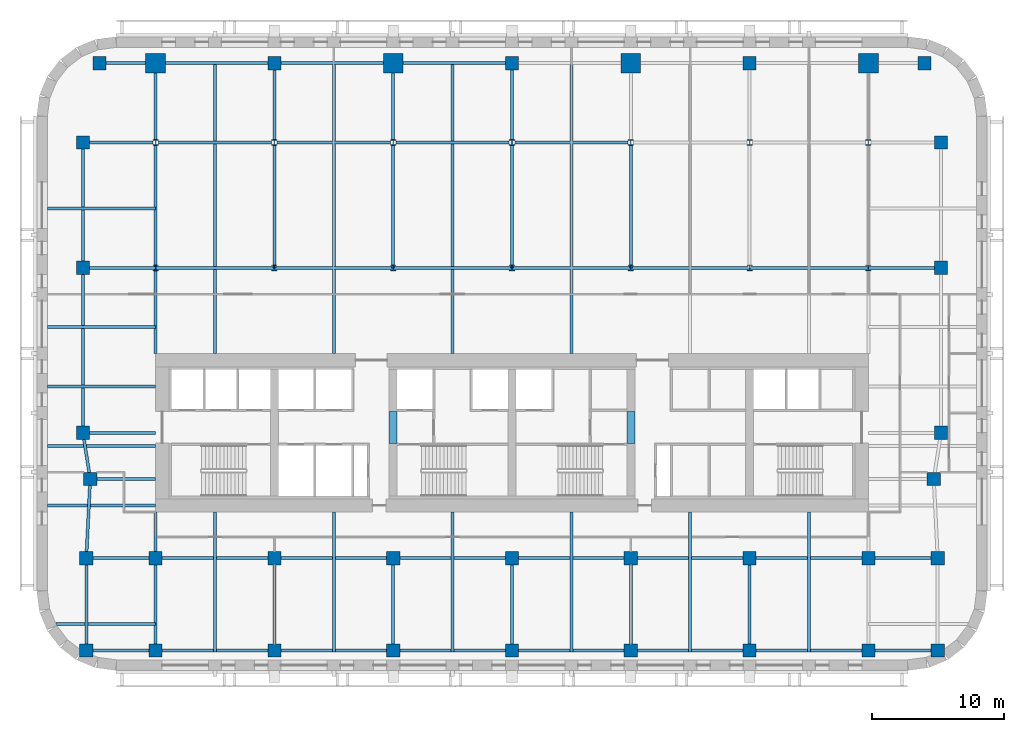
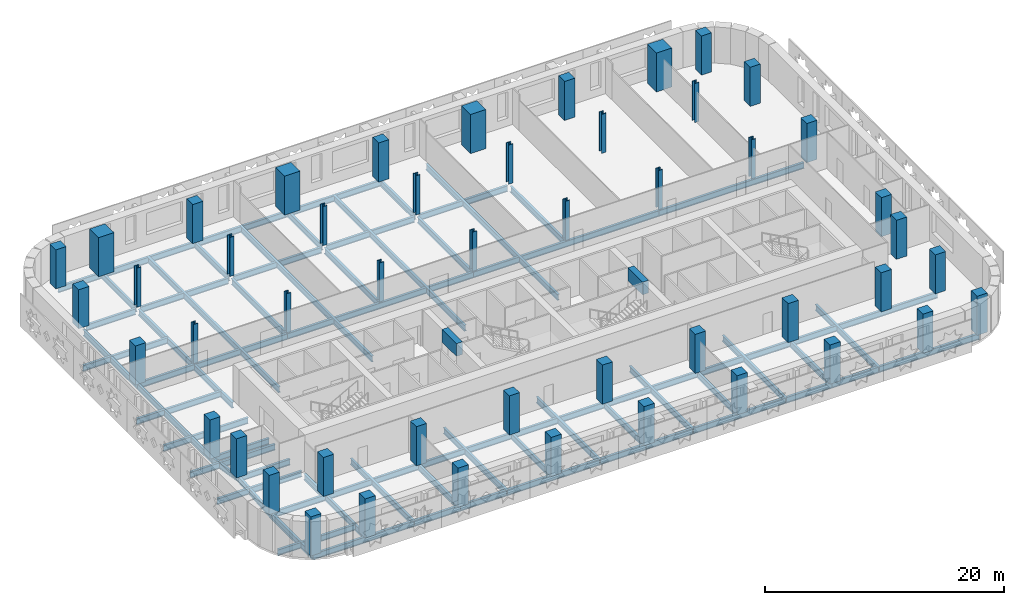
# One storey, part 1 of 10: 59 beams, 49 columns.
"""IFC4 building model written with IfcOpenShell, lengths in metres."""

from ifc_helpers import new_model, si_unit, direction, frame, origin, origin_2d, place, context, subcontext, project, spatial, rectangle, i_section, extrude, material, material_profile, profile_set, type_object, element, save


model = new_model("IFC4")

# Units and contexts
model_context = context("Model", 3, precision=1e-05, world=origin(), true_north=direction((0.0, 1.0)))
body_context = subcontext(model_context, "Body", "Model", "MODEL_VIEW")
ifc_project = project(units=[si_unit("LENGTHUNIT", "METRE"), si_unit("AREAUNIT", "SQUARE_METRE"), si_unit("VOLUMEUNIT", "CUBIC_METRE"), si_unit("PLANEANGLEUNIT", "RADIAN"), si_unit("MASSUNIT", "GRAM", prefix="KILO")], contexts=[model_context])

# Site, building, storey
site_placement = place(None, origin())
site = spatial("IfcSite", under=ifc_project, at=site_placement, CompositionType="ELEMENT")
building_placement = place(site_placement, origin())
building = spatial("IfcBuilding", under=site, at=building_placement, Name="Zellij Exchange Tower", CompositionType="ELEMENT")
storey_placement = place(building_placement, frame((0.0, 0.0, 152.5)))
storey = spatial("IfcBuildingStorey", under=building, at=storey_placement, Name="L34", CompositionType="ELEMENT", Elevation=152.5)

# Columns
ifc_material_1 = material(Name="Concrete C70/85", Category="concrete")
ifc_material_profile_1 = material_profile(ifc_material_1, rectangle(XDim=1.0, YDim=1.0, at=origin_2d()), Name="STR-COLUMN RC1000x1000 C70/85")
ifc_profile_set_1 = profile_set([ifc_material_profile_1], Name="Concrete C70/85")
column_type_1 = type_object("IfcColumnType", Name="STR-COLUMN RC1000x1000 C70/85", PredefinedType="COLUMN", material=ifc_profile_set_1)
for number, where, z_axis, x_axis, name in (
    (1, (-32.25, -24.5, 0.0), (0.0, 0.0, 1.0), (1.0, 0.0, 0.0), "C10"),
    (2, (-27.0, -24.5, 0.0), (0.0, 0.0, 1.0), (1.0, 0.0, 0.0), "C10"),
    (3, (-18.0, -24.5, 0.0), (0.0, 0.0, 1.0), (1.0, 0.0, 0.0), "C10"),
    (4, (-9.0, -24.5, 0.0), (0.0, 0.0, 1.0), (1.0, 0.0, 0.0), "C10"),
    (5, (0.0, -24.5, 0.0), (0.0, 0.0, 1.0), (1.0, 0.0, 0.0), "C10"),
    (6, (9.0, -24.5, 0.0), (0.0, 0.0, 1.0), (1.0, 0.0, 0.0), "C10"),
    (7, (18.0, -24.5, 0.0), (0.0, 0.0, 1.0), (1.0, 0.0, 0.0), "C10"),
    (8, (27.0, -24.5, 0.0), (0.0, 0.0, 1.0), (1.0, 0.0, 0.0), "C10"),
    (9, (32.25, -24.5, 0.0), (0.0, 0.0, 1.0), (1.0, 0.0, 0.0), "C10"),
    (10, (-32.25, -17.5, 0.0), (0.0, 0.0, 1.0), (1.0, 0.0, 0.0), "C10"),
    (11, (-27.0, -17.5, 0.0), (0.0, 0.0, 1.0), (1.0, 0.0, 0.0), "C10"),
    (12, (-18.0, -17.5, 0.0), (0.0, 0.0, 1.0), (1.0, 0.0, 0.0), "C10"),
    (13, (-9.0, -17.5, 0.0), (0.0, 0.0, 1.0), (1.0, 0.0, 0.0), "C10"),
    (14, (0.0, -17.5, 0.0), (0.0, 0.0, 1.0), (1.0, 0.0, 0.0), "C10"),
    (15, (9.0, -17.5, 0.0), (0.0, 0.0, 1.0), (1.0, 0.0, 0.0), "C10"),
    (16, (18.0, -17.5, 0.0), (0.0, 0.0, 1.0), (1.0, 0.0, 0.0), "C10"),
    (17, (27.0, -17.5, 0.0), (0.0, 0.0, 1.0), (1.0, 0.0, 0.0), "C10"),
    (18, (32.25, -17.5, 0.0), (0.0, 0.0, 1.0), (1.0, 0.0, 0.0), "C10"),
    (19, (-31.949951171875, -11.5, 0.0), (0.0, 0.0, 1.0), (1.0, 0.0, 0.0), "C10"),
    (20, (31.949951171875, -11.5, 0.0), (0.0, 0.0, 1.0), (1.0, 0.0, 0.0), "C10"),
    (21, (-32.5, -8.0, 0.0), (0.0, 0.0, 1.0), (1.0, 0.0, 0.0), "C10"),
    (22, (32.5, -8.0, 0.0), (0.0, 0.0, 1.0), (1.0, 0.0, 0.0), "C10"),
    (23, (-32.5, 4.5, 0.0), (0.0, 0.0, 1.0), (1.0, 0.0, 0.0), "C10"),
    (24, (32.5, 4.5, 0.0), (0.0, 0.0, 1.0), (1.0, 0.0, 0.0), "C10"),
    (25, (-32.5, 14.0, 0.0), (0.0, 0.0, 1.0), (1.0, 0.0, 0.0), "C10"),
    (26, (32.5, 14.0, 0.0), (0.0, 0.0, 1.0), (1.0, 0.0, 0.0), "C10"),
    (27, (-31.25, 20.0, 0.0), (0.0, 0.0, 1.0), (1.0, 0.0, 0.0), "C10"),
    (28, (-18.0, 20.0, 0.0), (0.0, 0.0, 1.0), (1.0, 0.0, 0.0), "C10"),
    (29, (0.0, 20.0, 0.0), (0.0, 0.0, 1.0), (1.0, 0.0, 0.0), "C10"),
    (30, (18.0, 20.0, 0.0), (0.0, 0.0, 1.0), (1.0, 0.0, 0.0), "C10"),
    (31, (31.25, 20.0, 0.0), (0.0, 0.0, 1.0), (1.0, 0.0, 0.0), "C10"),
):
    element("IfcColumn", number, at=place(storey_placement, frame(where, z_axis=z_axis, x_axis=x_axis)), inside=storey, type_object=column_type_1, Name=name, PredefinedType="COLUMN", context=body_context, shape_type="SweptSolid", body=[
        extrude(rectangle(XDim=1.0, YDim=1.0, at=origin_2d()), origin(), (0.0, 0.0, 1.0), 4.0),
    ])
ifc_material_2 = material(Name="Structural steel ASTM A913 Gr 65", Category="steel")
ifc_material_profile_2 = material_profile(ifc_material_2, i_section(OverallWidth=0.419189453125, OverallDepth=0.45458984375, WebThickness=0.042236328125, FlangeThickness=0.067626953125, at=origin_2d()), Name="W14x370")
ifc_profile_set_2 = profile_set([ifc_material_profile_2], Name="Structural steel ASTM A913 Gr 65")
column_type_2 = type_object("IfcColumnType", Name="STR-COLUMN W14x370", PredefinedType="COLUMN", material=ifc_profile_set_2)
for number, where, z_axis, x_axis, name in (
    (32, (-27.0, 4.5, 0.0), (0.0, 0.0, 1.0), (1.0, 0.0, 0.0), "C4"),
    (33, (-18.0, 4.5, 0.0), (0.0, 0.0, 1.0), (1.0, 0.0, 0.0), "C4"),
    (34, (-9.0, 4.5, 0.0), (0.0, 0.0, 1.0), (1.0, 0.0, 0.0), "C4"),
    (35, (0.0, 4.5, 0.0), (0.0, 0.0, 1.0), (1.0, 0.0, 0.0), "C4"),
    (36, (9.0, 4.5, 0.0), (0.0, 0.0, 1.0), (1.0, 0.0, 0.0), "C4"),
    (37, (18.0, 4.5, 0.0), (0.0, 0.0, 1.0), (1.0, 0.0, 0.0), "C4"),
    (38, (27.0, 4.5, 0.0), (0.0, 0.0, 1.0), (1.0, 0.0, 0.0), "C4"),
    (39, (-27.0, 14.0, 0.0), (0.0, 0.0, 1.0), (1.0, 0.0, 0.0), "C4"),
    (40, (-18.0, 14.0, 0.0), (0.0, 0.0, 1.0), (1.0, 0.0, 0.0), "C4"),
    (41, (-9.0, 14.0, 0.0), (0.0, 0.0, 1.0), (1.0, 0.0, 0.0), "C4"),
    (42, (0.0, 14.0, 0.0), (0.0, 0.0, 1.0), (1.0, 0.0, 0.0), "C4"),
    (43, (9.0, 14.0, 0.0), (0.0, 0.0, 1.0), (1.0, 0.0, 0.0), "C4"),
    (44, (18.0, 14.0, 0.0), (0.0, 0.0, 1.0), (1.0, 0.0, 0.0), "C4"),
    (45, (27.0, 14.0, 0.0), (0.0, 0.0, 1.0), (1.0, 0.0, 0.0), "C4"),
):
    element("IfcColumn", number, at=place(storey_placement, frame(where, z_axis=z_axis, x_axis=x_axis)), inside=storey, type_object=column_type_2, Name=name, PredefinedType="COLUMN", context=body_context, shape_type="SweptSolid", body=[
        extrude(i_section(OverallWidth=0.419189453125, OverallDepth=0.45458984375, WebThickness=0.042236328125, FlangeThickness=0.067626953125, at=origin_2d()), origin(), (0.0, 0.0, 1.0), 4.0),
    ])
ifc_material_profile_3 = material_profile(ifc_material_1, rectangle(XDim=1.5, YDim=1.5, at=origin_2d()), Name="STR-MEGA COLUMN RC1500x1500 C70/85")
ifc_profile_set_3 = profile_set([ifc_material_profile_3], Name="Concrete C70/85")
column_type_3 = type_object("IfcColumnType", Name="STR-MEGA COLUMN RC1500x1500 C70/85", PredefinedType="COLUMN", material=ifc_profile_set_3)
for number, where, z_axis, x_axis, name in (
    (46, (-27.0, 20.0, 0.0), (0.0, 0.0, 1.0), (1.0, 0.0, 0.0), "MC5"),
    (47, (-9.0, 20.0, 0.0), (0.0, 0.0, 1.0), (1.0, 0.0, 0.0), "MC5"),
    (48, (9.0, 20.0, 0.0), (0.0, 0.0, 1.0), (1.0, 0.0, 0.0), "MC5"),
    (49, (27.0, 20.0, 0.0), (0.0, 0.0, 1.0), (1.0, 0.0, 0.0), "MC5"),
):
    element("IfcColumn", number, at=place(storey_placement, frame(where, z_axis=z_axis, x_axis=x_axis)), inside=storey, type_object=column_type_3, Name=name, PredefinedType="COLUMN", context=body_context, shape_type="SweptSolid", body=[
        extrude(rectangle(XDim=1.5, YDim=1.5, at=origin_2d()), origin(), (0.0, 0.0, 1.0), 4.0),
    ])

# Beams
ifc_material_profile_4 = material_profile(ifc_material_1, rectangle(XDim=0.60009765625, YDim=1.300048828125, at=origin_2d()), Name="CORE-CB 600x1300 C70/85")
ifc_profile_set_4 = profile_set([ifc_material_profile_4], Name="Concrete C70/85")
beam_type_1 = type_object("IfcBeamType", Name="CORE-CB 600x1300 C70/85", PredefinedType="BEAM", material=ifc_profile_set_4)
for number, where, z_axis, x_axis, name in (
    (50, (-9.0, -8.800048828125, 3.050048828125), (0.0, 1.0, 0.0), (-1.0, 0.0, 0.0), "Core coupling beam x -9 L34"),
    (51, (9.0, -8.800048828125, 3.050048828125), (0.0, 1.0, 0.0), (-1.0, 0.0, 0.0), "Core coupling beam x 9 L34"),
):
    element("IfcBeam", number, at=place(storey_placement, frame(where, z_axis=z_axis, x_axis=x_axis)), inside=storey, type_object=beam_type_1, Name=name, PredefinedType="BEAM", context=body_context, shape_type="SweptSolid", body=[
        extrude(rectangle(XDim=0.60009765625, YDim=1.300048828125, at=origin_2d()), origin(), (0.0, 0.0, 1.0), 2.425048828125),
    ])
ifc_material_3 = material(Name="Structural steel ASTM A992 Gr 50", Category="steel")
ifc_material_profile_5 = material_profile(ifc_material_3, i_section(OverallWidth=0.227783203125, OverallDepth=0.60205078125, WebThickness=0.010498046875, FlangeThickness=0.014892578125, at=origin_2d()), Name="W24x68")
ifc_profile_set_5 = profile_set([ifc_material_profile_5], Name="Structural steel ASTM A992 Gr 50")
beam_type_2 = type_object("IfcBeamType", Name="STR-BEAM W24x68", PredefinedType="BEAM", material=ifc_profile_set_5)
beam_1_placement = place(storey_placement, frame((-22.5, -24.614501953125, -0.5009765625), z_axis=(0.0, 1.0, 0.0), x_axis=(-1.0, 0.0, 0.0)))
element("IfcBeam", 52, at=beam_1_placement, inside=storey, type_object=beam_type_2, Name="B5", PredefinedType="BEAM", context=body_context, shape_type="SweptSolid", body=[
    extrude(i_section(OverallWidth=0.227783203125, OverallDepth=0.60205078125, WebThickness=0.010498046875, FlangeThickness=0.014892578125, at=origin_2d()), origin(), (0.0, 0.0, 1.0), 10.614501953125),
])
beam_2_placement = place(storey_placement, frame((-22.5, -2.0, -0.5009765625), z_axis=(0.0, 1.0, 0.0), x_axis=(-1.0, 0.0, 0.0)))
element("IfcBeam", 53, at=beam_2_placement, inside=storey, type_object=beam_type_2, Name="B5", PredefinedType="BEAM", context=body_context, shape_type="SweptSolid", body=[
    extrude(i_section(OverallWidth=0.227783203125, OverallDepth=0.60205078125, WebThickness=0.010498046875, FlangeThickness=0.014892578125, at=origin_2d()), origin(), (0.0, 0.0, 1.0), 22.114501953125),
])
beam_3_placement = place(storey_placement, frame((-13.5, -24.614501953125, -0.5009765625), z_axis=(0.0, 1.0, 0.0), x_axis=(-1.0, 0.0, 0.0)))
element("IfcBeam", 54, at=beam_3_placement, inside=storey, type_object=beam_type_2, Name="B5", PredefinedType="BEAM", context=body_context, shape_type="SweptSolid", body=[
    extrude(i_section(OverallWidth=0.227783203125, OverallDepth=0.60205078125, WebThickness=0.010498046875, FlangeThickness=0.014892578125, at=origin_2d()), origin(), (0.0, 0.0, 1.0), 10.614501953125),
])
beam_4_placement = place(storey_placement, frame((-13.5, -2.0, -0.5009765625), z_axis=(0.0, 1.0, 0.0), x_axis=(-1.0, 0.0, 0.0)))
element("IfcBeam", 55, at=beam_4_placement, inside=storey, type_object=beam_type_2, Name="B5", PredefinedType="BEAM", context=body_context, shape_type="SweptSolid", body=[
    extrude(i_section(OverallWidth=0.227783203125, OverallDepth=0.60205078125, WebThickness=0.010498046875, FlangeThickness=0.014892578125, at=origin_2d()), origin(), (0.0, 0.0, 1.0), 22.114501953125),
])
beam_5_placement = place(storey_placement, frame((-4.5, -24.614501953125, -0.5009765625), z_axis=(0.0, 1.0, 0.0), x_axis=(-1.0, 0.0, 0.0)))
element("IfcBeam", 56, at=beam_5_placement, inside=storey, type_object=beam_type_2, Name="B5", PredefinedType="BEAM", context=body_context, shape_type="SweptSolid", body=[
    extrude(i_section(OverallWidth=0.227783203125, OverallDepth=0.60205078125, WebThickness=0.010498046875, FlangeThickness=0.014892578125, at=origin_2d()), origin(), (0.0, 0.0, 1.0), 10.614501953125),
])
beam_6_placement = place(storey_placement, frame((-4.5, -2.0, -0.5009765625), z_axis=(0.0, 1.0, 0.0), x_axis=(-1.0, 0.0, 0.0)))
element("IfcBeam", 57, at=beam_6_placement, inside=storey, type_object=beam_type_2, Name="B5", PredefinedType="BEAM", context=body_context, shape_type="SweptSolid", body=[
    extrude(i_section(OverallWidth=0.227783203125, OverallDepth=0.60205078125, WebThickness=0.010498046875, FlangeThickness=0.014892578125, at=origin_2d()), origin(), (0.0, 0.0, 1.0), 22.114501953125),
])
beam_7_placement = place(storey_placement, frame((4.5, -24.614501953125, -0.5009765625), z_axis=(0.0, 1.0, 0.0), x_axis=(-1.0, 0.0, 0.0)))
element("IfcBeam", 58, at=beam_7_placement, inside=storey, type_object=beam_type_2, Name="B5", PredefinedType="BEAM", context=body_context, shape_type="SweptSolid", body=[
    extrude(i_section(OverallWidth=0.227783203125, OverallDepth=0.60205078125, WebThickness=0.010498046875, FlangeThickness=0.014892578125, at=origin_2d()), origin(), (0.0, 0.0, 1.0), 10.614501953125),
])
beam_8_placement = place(storey_placement, frame((4.5, -2.0, -0.5009765625), z_axis=(0.0, 1.0, 0.0), x_axis=(-1.0, 0.0, 0.0)))
element("IfcBeam", 59, at=beam_8_placement, inside=storey, type_object=beam_type_2, Name="B5", PredefinedType="BEAM", context=body_context, shape_type="SweptSolid", body=[
    extrude(i_section(OverallWidth=0.227783203125, OverallDepth=0.60205078125, WebThickness=0.010498046875, FlangeThickness=0.014892578125, at=origin_2d()), origin(), (0.0, 0.0, 1.0), 22.114501953125),
])
for number, where, z_axis, x_axis, name in (
    (60, (13.5, -24.614501953125, -0.5009765625), (0.0, 1.0, 0.0), (-1.0, 0.0, 0.0), "B5"),
    (61, (22.5, -24.614501953125, -0.5009765625), (0.0, 1.0, 0.0), (-1.0, 0.0, 0.0), "B5"),
):
    element("IfcBeam", number, at=place(storey_placement, frame(where, z_axis=z_axis, x_axis=x_axis)), inside=storey, type_object=beam_type_2, Name=name, PredefinedType="BEAM", context=body_context, shape_type="SweptSolid", body=[
        extrude(i_section(OverallWidth=0.227783203125, OverallDepth=0.60205078125, WebThickness=0.010498046875, FlangeThickness=0.014892578125, at=origin_2d()), origin(), (0.0, 0.0, 1.0), 10.614501953125),
    ])
beam_9_placement = place(storey_placement, frame((-34.537109375, -22.5, -0.5009765625), z_axis=(1.0, 0.0, 0.0), x_axis=(0.0, 1.0, 0.0)))
element("IfcBeam", 62, at=beam_9_placement, inside=storey, type_object=beam_type_2, Name="B5", PredefinedType="BEAM", context=body_context, shape_type="SweptSolid", body=[
    extrude(i_section(OverallWidth=0.227783203125, OverallDepth=0.60205078125, WebThickness=0.010498046875, FlangeThickness=0.014892578125, at=origin_2d()), origin(), (0.0, 0.0, 1.0), 7.537109375),
])
for number, where, z_axis, x_axis, name in (
    (63, (-35.199951171875, -13.5, -0.5009765625), (1.0, 0.0, 0.0), (0.0, 1.0, 0.0), "B5"),
    (64, (-35.199951171875, -9.0, -0.5009765625), (1.0, 0.0, 0.0), (0.0, 1.0, 0.0), "B5"),
    (65, (-35.199951171875, -4.5, -0.5009765625), (1.0, 0.0, 0.0), (0.0, 1.0, 0.0), "B5"),
    (66, (-35.199951171875, 0.0, -0.5009765625), (1.0, 0.0, 0.0), (0.0, 1.0, 0.0), "B5"),
    (67, (-35.199951171875, 9.0, -0.5009765625), (1.0, 0.0, 0.0), (0.0, 1.0, 0.0), "B5"),
):
    element("IfcBeam", number, at=place(storey_placement, frame(where, z_axis=z_axis, x_axis=x_axis)), inside=storey, type_object=beam_type_2, Name=name, PredefinedType="BEAM", context=body_context, shape_type="SweptSolid", body=[
        extrude(i_section(OverallWidth=0.227783203125, OverallDepth=0.60205078125, WebThickness=0.010498046875, FlangeThickness=0.014892578125, at=origin_2d()), origin(), (0.0, 0.0, 1.0), 8.199951171875),
    ])
ifc_material_profile_6 = material_profile(ifc_material_3, i_section(OverallWidth=0.22900390625, OverallDepth=0.612060546875, WebThickness=0.011962890625, FlangeThickness=0.01953125, at=origin_2d()), Name="W24x84")
ifc_profile_set_6 = profile_set([ifc_material_profile_6], Name="Structural steel ASTM A992 Gr 50")
beam_type_3 = type_object("IfcBeamType", Name="STR-EDGE GIRDER W24x84", PredefinedType="BEAM", material=ifc_profile_set_6)
beam_10_placement = place(storey_placement, frame((-32.25, -24.5, -0.506103515625), z_axis=(0.0, 1.0, 0.0), x_axis=(-1.0, 0.0, 0.0)))
element("IfcBeam", 68, at=beam_10_placement, inside=storey, type_object=beam_type_3, Name="EB6", PredefinedType="BEAM", context=body_context, shape_type="SweptSolid", body=[
    extrude(i_section(OverallWidth=0.22900390625, OverallDepth=0.612060546875, WebThickness=0.011962890625, FlangeThickness=0.01953125, at=origin_2d()), origin(), (0.0, 0.0, 1.0), 7.0),
])
beam_11_placement = place(storey_placement, frame((-32.25, -17.5, -0.506103515625), z_axis=(0.049945724537, 0.998751933465, 0.0), x_axis=(-0.998751933465, 0.049945724537, 0.0)))
element("IfcBeam", 69, at=beam_11_placement, inside=storey, type_object=beam_type_3, Name="EB6", PredefinedType="BEAM", context=body_context, shape_type="SweptSolid", body=[
    extrude(i_section(OverallWidth=0.22900390625, OverallDepth=0.612060546875, WebThickness=0.011962890625, FlangeThickness=0.01953125, at=origin_2d()), origin(), (0.0, 0.0, 1.0), 6.007568359375),
])
beam_12_placement = place(storey_placement, frame((-31.949951171875, -11.5, -0.506103515625), z_axis=(-0.155251283593, 0.987875011802, 0.0), x_axis=(-0.987875011802, -0.155251283593, 0.0)))
element("IfcBeam", 70, at=beam_12_placement, inside=storey, type_object=beam_type_3, Name="EB6", PredefinedType="BEAM", context=body_context, shape_type="SweptSolid", body=[
    extrude(i_section(OverallWidth=0.22900390625, OverallDepth=0.612060546875, WebThickness=0.011962890625, FlangeThickness=0.01953125, at=origin_2d()), origin(), (0.0, 0.0, 1.0), 3.54296875),
])
beam_13_placement = place(storey_placement, frame((-32.5, -8.0, -0.506103515625), z_axis=(0.0, 1.0, 0.0), x_axis=(-1.0, 0.0, 0.0)))
element("IfcBeam", 71, at=beam_13_placement, inside=storey, type_object=beam_type_3, Name="EB6", PredefinedType="BEAM", context=body_context, shape_type="SweptSolid", body=[
    extrude(i_section(OverallWidth=0.22900390625, OverallDepth=0.612060546875, WebThickness=0.011962890625, FlangeThickness=0.01953125, at=origin_2d()), origin(), (0.0, 0.0, 1.0), 12.5),
])
beam_14_placement = place(storey_placement, frame((-32.5, 4.5, -0.506103515625), z_axis=(0.0, 1.0, 0.0), x_axis=(-1.0, 0.0, 0.0)))
element("IfcBeam", 72, at=beam_14_placement, inside=storey, type_object=beam_type_3, Name="EB6", PredefinedType="BEAM", context=body_context, shape_type="SweptSolid", body=[
    extrude(i_section(OverallWidth=0.22900390625, OverallDepth=0.612060546875, WebThickness=0.011962890625, FlangeThickness=0.01953125, at=origin_2d()), origin(), (0.0, 0.0, 1.0), 9.0),
])
ifc_material_profile_7 = material_profile(ifc_material_3, i_section(OverallWidth=0.22900390625, OverallDepth=0.612060546875, WebThickness=0.011962890625, FlangeThickness=0.01953125, at=origin_2d()), Name="W24x84")
ifc_profile_set_7 = profile_set([ifc_material_profile_7], Name="Structural steel ASTM A992 Gr 50")
beam_type_4 = type_object("IfcBeamType", Name="STR-GIRDER W24x84", PredefinedType="BEAM", material=ifc_profile_set_7)
beam_15_placement = place(storey_placement, frame((-32.25, -24.5, -0.506103515625), z_axis=(1.0, 0.0, 0.0), x_axis=(0.0, 1.0, 0.0)))
element("IfcBeam", 73, at=beam_15_placement, inside=storey, type_object=beam_type_4, Name="G4", PredefinedType="BEAM", context=body_context, shape_type="SweptSolid", body=[
    extrude(i_section(OverallWidth=0.22900390625, OverallDepth=0.612060546875, WebThickness=0.011962890625, FlangeThickness=0.01953125, at=origin_2d()), origin(), (0.0, 0.0, 1.0), 14.25),
])
for number, where, z_axis, x_axis, name in (
    (74, (-18.0, -24.5, -0.506103515625), (1.0, 0.0, 0.0), (0.0, 1.0, 0.0), "G4"),
    (75, (0.0, -24.5, -0.506103515625), (1.0, 0.0, 0.0), (0.0, 1.0, 0.0), "G4"),
):
    element("IfcBeam", number, at=place(storey_placement, frame(where, z_axis=z_axis, x_axis=x_axis)), inside=storey, type_object=beam_type_4, Name=name, PredefinedType="BEAM", context=body_context, shape_type="SweptSolid", body=[
        extrude(i_section(OverallWidth=0.22900390625, OverallDepth=0.612060546875, WebThickness=0.011962890625, FlangeThickness=0.01953125, at=origin_2d()), origin(), (0.0, 0.0, 1.0), 18.0),
    ])
for number, where, z_axis, x_axis, name in (
    (76, (18.0, -24.5, -0.506103515625), (1.0, 0.0, 0.0), (0.0, 1.0, 0.0), "G4"),
    (77, (-32.25, -17.5, -0.506103515625), (1.0, 0.0, 0.0), (0.0, 1.0, 0.0), "G4"),
):
    element("IfcBeam", number, at=place(storey_placement, frame(where, z_axis=z_axis, x_axis=x_axis)), inside=storey, type_object=beam_type_4, Name=name, PredefinedType="BEAM", context=body_context, shape_type="SweptSolid", body=[
        extrude(i_section(OverallWidth=0.22900390625, OverallDepth=0.612060546875, WebThickness=0.011962890625, FlangeThickness=0.01953125, at=origin_2d()), origin(), (0.0, 0.0, 1.0), 14.25),
    ])
for number, where, z_axis, x_axis, name in (
    (78, (-18.0, -17.5, -0.506103515625), (1.0, 0.0, 0.0), (0.0, 1.0, 0.0), "G4"),
    (79, (0.0, -17.5, -0.506103515625), (1.0, 0.0, 0.0), (0.0, 1.0, 0.0), "G4"),
):
    element("IfcBeam", number, at=place(storey_placement, frame(where, z_axis=z_axis, x_axis=x_axis)), inside=storey, type_object=beam_type_4, Name=name, PredefinedType="BEAM", context=body_context, shape_type="SweptSolid", body=[
        extrude(i_section(OverallWidth=0.22900390625, OverallDepth=0.612060546875, WebThickness=0.011962890625, FlangeThickness=0.01953125, at=origin_2d()), origin(), (0.0, 0.0, 1.0), 18.0),
    ])
beam_16_placement = place(storey_placement, frame((18.0, -17.5, -0.506103515625), z_axis=(1.0, 0.0, 0.0), x_axis=(0.0, 1.0, 0.0)))
element("IfcBeam", 80, at=beam_16_placement, inside=storey, type_object=beam_type_4, Name="G4", PredefinedType="BEAM", context=body_context, shape_type="SweptSolid", body=[
    extrude(i_section(OverallWidth=0.22900390625, OverallDepth=0.612060546875, WebThickness=0.011962890625, FlangeThickness=0.01953125, at=origin_2d()), origin(), (0.0, 0.0, 1.0), 14.25),
])
beam_17_placement = place(storey_placement, frame((-31.949951171875, -11.5, -0.506103515625), z_axis=(1.0, 0.0, 0.0), x_axis=(0.0, 1.0, 0.0)))
element("IfcBeam", 81, at=beam_17_placement, inside=storey, type_object=beam_type_4, Name="G4", PredefinedType="BEAM", context=body_context, shape_type="SweptSolid", body=[
    extrude(i_section(OverallWidth=0.22900390625, OverallDepth=0.612060546875, WebThickness=0.011962890625, FlangeThickness=0.01953125, at=origin_2d()), origin(), (0.0, 0.0, 1.0), 4.949951171875),
])
beam_18_placement = place(storey_placement, frame((-32.5, -8.0, -0.506103515625), z_axis=(1.0, 0.0, 0.0), x_axis=(0.0, 1.0, 0.0)))
element("IfcBeam", 82, at=beam_18_placement, inside=storey, type_object=beam_type_4, Name="G4", PredefinedType="BEAM", context=body_context, shape_type="SweptSolid", body=[
    extrude(i_section(OverallWidth=0.22900390625, OverallDepth=0.612060546875, WebThickness=0.011962890625, FlangeThickness=0.01953125, at=origin_2d()), origin(), (0.0, 0.0, 1.0), 5.5),
])
beam_19_placement = place(storey_placement, frame((-32.5, 4.5, -0.506103515625), z_axis=(1.0, 0.0, 0.0), x_axis=(0.0, 1.0, 0.0)))
element("IfcBeam", 83, at=beam_19_placement, inside=storey, type_object=beam_type_4, Name="G4", PredefinedType="BEAM", context=body_context, shape_type="SweptSolid", body=[
    extrude(i_section(OverallWidth=0.22900390625, OverallDepth=0.612060546875, WebThickness=0.011962890625, FlangeThickness=0.01953125, at=origin_2d()), origin(), (0.0, 0.0, 1.0), 14.5),
])
for number, where, z_axis, x_axis, name in (
    (84, (-18.0, 4.5, -0.506103515625), (1.0, 0.0, 0.0), (0.0, 1.0, 0.0), "G4"),
    (85, (0.0, 4.5, -0.506103515625), (1.0, 0.0, 0.0), (0.0, 1.0, 0.0), "G4"),
):
    element("IfcBeam", number, at=place(storey_placement, frame(where, z_axis=z_axis, x_axis=x_axis)), inside=storey, type_object=beam_type_4, Name=name, PredefinedType="BEAM", context=body_context, shape_type="SweptSolid", body=[
        extrude(i_section(OverallWidth=0.22900390625, OverallDepth=0.612060546875, WebThickness=0.011962890625, FlangeThickness=0.01953125, at=origin_2d()), origin(), (0.0, 0.0, 1.0), 18.0),
    ])
beam_20_placement = place(storey_placement, frame((18.0, 4.5, -0.506103515625), z_axis=(1.0, 0.0, 0.0), x_axis=(0.0, 1.0, 0.0)))
element("IfcBeam", 86, at=beam_20_placement, inside=storey, type_object=beam_type_4, Name="G4", PredefinedType="BEAM", context=body_context, shape_type="SweptSolid", body=[
    extrude(i_section(OverallWidth=0.22900390625, OverallDepth=0.612060546875, WebThickness=0.011962890625, FlangeThickness=0.01953125, at=origin_2d()), origin(), (0.0, 0.0, 1.0), 14.0),
])
beam_21_placement = place(storey_placement, frame((-32.0, 14.0, -0.506103515625), z_axis=(1.0, 0.0, 0.0), x_axis=(0.0, 1.0, 0.0)))
element("IfcBeam", 87, at=beam_21_placement, inside=storey, type_object=beam_type_4, Name="G4", PredefinedType="BEAM", context=body_context, shape_type="SweptSolid", body=[
    extrude(i_section(OverallWidth=0.22900390625, OverallDepth=0.612060546875, WebThickness=0.011962890625, FlangeThickness=0.01953125, at=origin_2d()), origin(), (0.0, 0.0, 1.0), 4.790283203125),
])
for number, where, z_axis, x_axis, name in (
    (88, (-26.790283203125, 14.0, -0.506103515625), (1.0, 0.0, 0.0), (0.0, 1.0, 0.0), "G4"),
    (89, (-17.790283203125, 14.0, -0.506103515625), (1.0, 0.0, 0.0), (0.0, 1.0, 0.0), "G4"),
):
    element("IfcBeam", number, at=place(storey_placement, frame(where, z_axis=z_axis, x_axis=x_axis)), inside=storey, type_object=beam_type_4, Name=name, PredefinedType="BEAM", context=body_context, shape_type="SweptSolid", body=[
        extrude(i_section(OverallWidth=0.22900390625, OverallDepth=0.612060546875, WebThickness=0.011962890625, FlangeThickness=0.01953125, at=origin_2d()), origin(), (0.0, 0.0, 1.0), 8.58056640625),
    ])
for number, where, z_axis, x_axis, name in (
    (90, (-8.790283203125, 14.0, -0.506103515625), (1.0, 0.0, 0.0), (0.0, 1.0, 0.0), "G4"),
    (91, (0.20947265625, 14.0, -0.506103515625), (1.0, 0.0, 0.0), (0.0, 1.0, 0.0), "G4"),
):
    element("IfcBeam", number, at=place(storey_placement, frame(where, z_axis=z_axis, x_axis=x_axis)), inside=storey, type_object=beam_type_4, Name=name, PredefinedType="BEAM", context=body_context, shape_type="SweptSolid", body=[
        extrude(i_section(OverallWidth=0.22900390625, OverallDepth=0.612060546875, WebThickness=0.011962890625, FlangeThickness=0.01953125, at=origin_2d()), origin(), (0.0, 0.0, 1.0), 8.580810546875),
    ])
beam_22_placement = place(storey_placement, frame((-31.25, 20.0, -0.506103515625), z_axis=(1.0, 0.0, 0.0), x_axis=(0.0, 1.0, 0.0)))
element("IfcBeam", 92, at=beam_22_placement, inside=storey, type_object=beam_type_4, Name="G4", PredefinedType="BEAM", context=body_context, shape_type="SweptSolid", body=[
    extrude(i_section(OverallWidth=0.22900390625, OverallDepth=0.612060546875, WebThickness=0.011962890625, FlangeThickness=0.01953125, at=origin_2d()), origin(), (0.0, 0.0, 1.0), 13.25),
])
beam_23_placement = place(storey_placement, frame((-18.0, 20.0, -0.506103515625), z_axis=(1.0, 0.0, 0.0), x_axis=(0.0, 1.0, 0.0)))
element("IfcBeam", 93, at=beam_23_placement, inside=storey, type_object=beam_type_4, Name="G4", PredefinedType="BEAM", context=body_context, shape_type="SweptSolid", body=[
    extrude(i_section(OverallWidth=0.22900390625, OverallDepth=0.612060546875, WebThickness=0.011962890625, FlangeThickness=0.01953125, at=origin_2d()), origin(), (0.0, 0.0, 1.0), 18.0),
])
beam_24_placement = place(storey_placement, frame((-27.0, -24.5, -0.506103515625), z_axis=(0.0, 1.0, 0.0), x_axis=(-1.0, 0.0, 0.0)))
element("IfcBeam", 94, at=beam_24_placement, inside=storey, type_object=beam_type_4, Name="G4", PredefinedType="BEAM", context=body_context, shape_type="SweptSolid", body=[
    extrude(i_section(OverallWidth=0.22900390625, OverallDepth=0.612060546875, WebThickness=0.011962890625, FlangeThickness=0.01953125, at=origin_2d()), origin(), (0.0, 0.0, 1.0), 10.5),
])
beam_25_placement = place(storey_placement, frame((-27.0, -2.0, -0.506103515625), z_axis=(0.0, 1.0, 0.0), x_axis=(-1.0, 0.0, 0.0)))
element("IfcBeam", 95, at=beam_25_placement, inside=storey, type_object=beam_type_4, Name="G4", PredefinedType="BEAM", context=body_context, shape_type="SweptSolid", body=[
    extrude(i_section(OverallWidth=0.22900390625, OverallDepth=0.612060546875, WebThickness=0.011962890625, FlangeThickness=0.01953125, at=origin_2d()), origin(), (0.0, 0.0, 1.0), 15.772705078125),
])
beam_26_placement = place(storey_placement, frame((-27.0, 14.227294921875, -0.506103515625), z_axis=(0.0, 1.0, 0.0), x_axis=(-1.0, 0.0, 0.0)))
element("IfcBeam", 96, at=beam_26_placement, inside=storey, type_object=beam_type_4, Name="G4", PredefinedType="BEAM", context=body_context, shape_type="SweptSolid", body=[
    extrude(i_section(OverallWidth=0.22900390625, OverallDepth=0.612060546875, WebThickness=0.011962890625, FlangeThickness=0.01953125, at=origin_2d()), origin(), (0.0, 0.0, 1.0), 5.772705078125),
])
beam_27_placement = place(storey_placement, frame((-18.0, -24.5, -0.506103515625), z_axis=(0.0, 1.0, 0.0), x_axis=(-1.0, 0.0, 0.0)))
element("IfcBeam", 97, at=beam_27_placement, inside=storey, type_object=beam_type_4, Name="G4", PredefinedType="BEAM", context=body_context, shape_type="SweptSolid", body=[
    extrude(i_section(OverallWidth=0.22900390625, OverallDepth=0.612060546875, WebThickness=0.011962890625, FlangeThickness=0.01953125, at=origin_2d()), origin(), (0.0, 0.0, 1.0), 7.0),
])
beam_28_placement = place(storey_placement, frame((-18.0, 4.5, -0.506103515625), z_axis=(0.0, 1.0, 0.0), x_axis=(-1.0, 0.0, 0.0)))
element("IfcBeam", 98, at=beam_28_placement, inside=storey, type_object=beam_type_4, Name="G4", PredefinedType="BEAM", context=body_context, shape_type="SweptSolid", body=[
    extrude(i_section(OverallWidth=0.22900390625, OverallDepth=0.612060546875, WebThickness=0.011962890625, FlangeThickness=0.01953125, at=origin_2d()), origin(), (0.0, 0.0, 1.0), 9.272705078125),
])
beam_29_placement = place(storey_placement, frame((-18.0, 14.227294921875, -0.506103515625), z_axis=(0.0, 1.0, 0.0), x_axis=(-1.0, 0.0, 0.0)))
element("IfcBeam", 99, at=beam_29_placement, inside=storey, type_object=beam_type_4, Name="G4", PredefinedType="BEAM", context=body_context, shape_type="SweptSolid", body=[
    extrude(i_section(OverallWidth=0.22900390625, OverallDepth=0.612060546875, WebThickness=0.011962890625, FlangeThickness=0.01953125, at=origin_2d()), origin(), (0.0, 0.0, 1.0), 5.772705078125),
])
beam_30_placement = place(storey_placement, frame((-9.0, -24.5, -0.506103515625), z_axis=(0.0, 1.0, 0.0), x_axis=(-1.0, 0.0, 0.0)))
element("IfcBeam", 100, at=beam_30_placement, inside=storey, type_object=beam_type_4, Name="G4", PredefinedType="BEAM", context=body_context, shape_type="SweptSolid", body=[
    extrude(i_section(OverallWidth=0.22900390625, OverallDepth=0.612060546875, WebThickness=0.011962890625, FlangeThickness=0.01953125, at=origin_2d()), origin(), (0.0, 0.0, 1.0), 7.0),
])
beam_31_placement = place(storey_placement, frame((-9.0, 4.5, -0.506103515625), z_axis=(0.0, 1.0, 0.0), x_axis=(-1.0, 0.0, 0.0)))
element("IfcBeam", 101, at=beam_31_placement, inside=storey, type_object=beam_type_4, Name="G4", PredefinedType="BEAM", context=body_context, shape_type="SweptSolid", body=[
    extrude(i_section(OverallWidth=0.22900390625, OverallDepth=0.612060546875, WebThickness=0.011962890625, FlangeThickness=0.01953125, at=origin_2d()), origin(), (0.0, 0.0, 1.0), 9.272705078125),
])
beam_32_placement = place(storey_placement, frame((-9.0, 14.227294921875, -0.506103515625), z_axis=(0.0, 1.0, 0.0), x_axis=(-1.0, 0.0, 0.0)))
element("IfcBeam", 102, at=beam_32_placement, inside=storey, type_object=beam_type_4, Name="G4", PredefinedType="BEAM", context=body_context, shape_type="SweptSolid", body=[
    extrude(i_section(OverallWidth=0.22900390625, OverallDepth=0.612060546875, WebThickness=0.011962890625, FlangeThickness=0.01953125, at=origin_2d()), origin(), (0.0, 0.0, 1.0), 5.772705078125),
])
beam_33_placement = place(storey_placement, frame((0.0, -24.5, -0.506103515625), z_axis=(0.0, 1.0, 0.0), x_axis=(-1.0, 0.0, 0.0)))
element("IfcBeam", 103, at=beam_33_placement, inside=storey, type_object=beam_type_4, Name="G4", PredefinedType="BEAM", context=body_context, shape_type="SweptSolid", body=[
    extrude(i_section(OverallWidth=0.22900390625, OverallDepth=0.612060546875, WebThickness=0.011962890625, FlangeThickness=0.01953125, at=origin_2d()), origin(), (0.0, 0.0, 1.0), 7.0),
])
beam_34_placement = place(storey_placement, frame((0.0, 4.5, -0.506103515625), z_axis=(0.0, 1.0, 0.0), x_axis=(-1.0, 0.0, 0.0)))
element("IfcBeam", 104, at=beam_34_placement, inside=storey, type_object=beam_type_4, Name="G4", PredefinedType="BEAM", context=body_context, shape_type="SweptSolid", body=[
    extrude(i_section(OverallWidth=0.22900390625, OverallDepth=0.612060546875, WebThickness=0.011962890625, FlangeThickness=0.01953125, at=origin_2d()), origin(), (0.0, 0.0, 1.0), 9.272705078125),
])
beam_35_placement = place(storey_placement, frame((0.0, 14.227294921875, -0.506103515625), z_axis=(0.0, 1.0, 0.0), x_axis=(-1.0, 0.0, 0.0)))
element("IfcBeam", 105, at=beam_35_placement, inside=storey, type_object=beam_type_4, Name="G4", PredefinedType="BEAM", context=body_context, shape_type="SweptSolid", body=[
    extrude(i_section(OverallWidth=0.22900390625, OverallDepth=0.612060546875, WebThickness=0.011962890625, FlangeThickness=0.01953125, at=origin_2d()), origin(), (0.0, 0.0, 1.0), 5.772705078125),
])
beam_36_placement = place(storey_placement, frame((9.0, -24.5, -0.506103515625), z_axis=(0.0, 1.0, 0.0), x_axis=(-1.0, 0.0, 0.0)))
element("IfcBeam", 106, at=beam_36_placement, inside=storey, type_object=beam_type_4, Name="G4", PredefinedType="BEAM", context=body_context, shape_type="SweptSolid", body=[
    extrude(i_section(OverallWidth=0.22900390625, OverallDepth=0.612060546875, WebThickness=0.011962890625, FlangeThickness=0.01953125, at=origin_2d()), origin(), (0.0, 0.0, 1.0), 7.0),
])
beam_37_placement = place(storey_placement, frame((9.0, 4.5, -0.506103515625), z_axis=(0.0, 1.0, 0.0), x_axis=(-1.0, 0.0, 0.0)))
element("IfcBeam", 107, at=beam_37_placement, inside=storey, type_object=beam_type_4, Name="G4", PredefinedType="BEAM", context=body_context, shape_type="SweptSolid", body=[
    extrude(i_section(OverallWidth=0.22900390625, OverallDepth=0.612060546875, WebThickness=0.011962890625, FlangeThickness=0.01953125, at=origin_2d()), origin(), (0.0, 0.0, 1.0), 9.272705078125),
])
beam_38_placement = place(storey_placement, frame((18.0, -24.5, -0.506103515625), z_axis=(0.0, 1.0, 0.0), x_axis=(-1.0, 0.0, 0.0)))
element("IfcBeam", 108, at=beam_38_placement, inside=storey, type_object=beam_type_4, Name="G4", PredefinedType="BEAM", context=body_context, shape_type="SweptSolid", body=[
    extrude(i_section(OverallWidth=0.22900390625, OverallDepth=0.612060546875, WebThickness=0.011962890625, FlangeThickness=0.01953125, at=origin_2d()), origin(), (0.0, 0.0, 1.0), 7.0),
])

save(model, "model.ifc")
